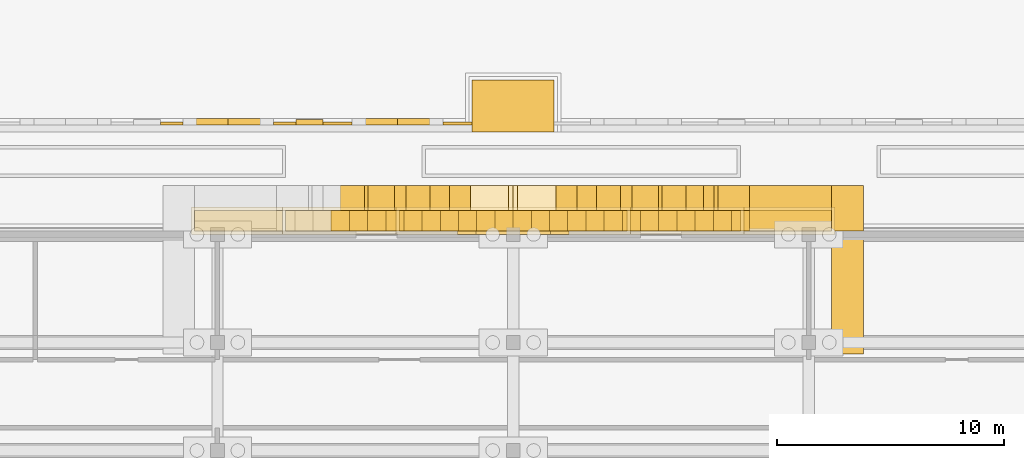
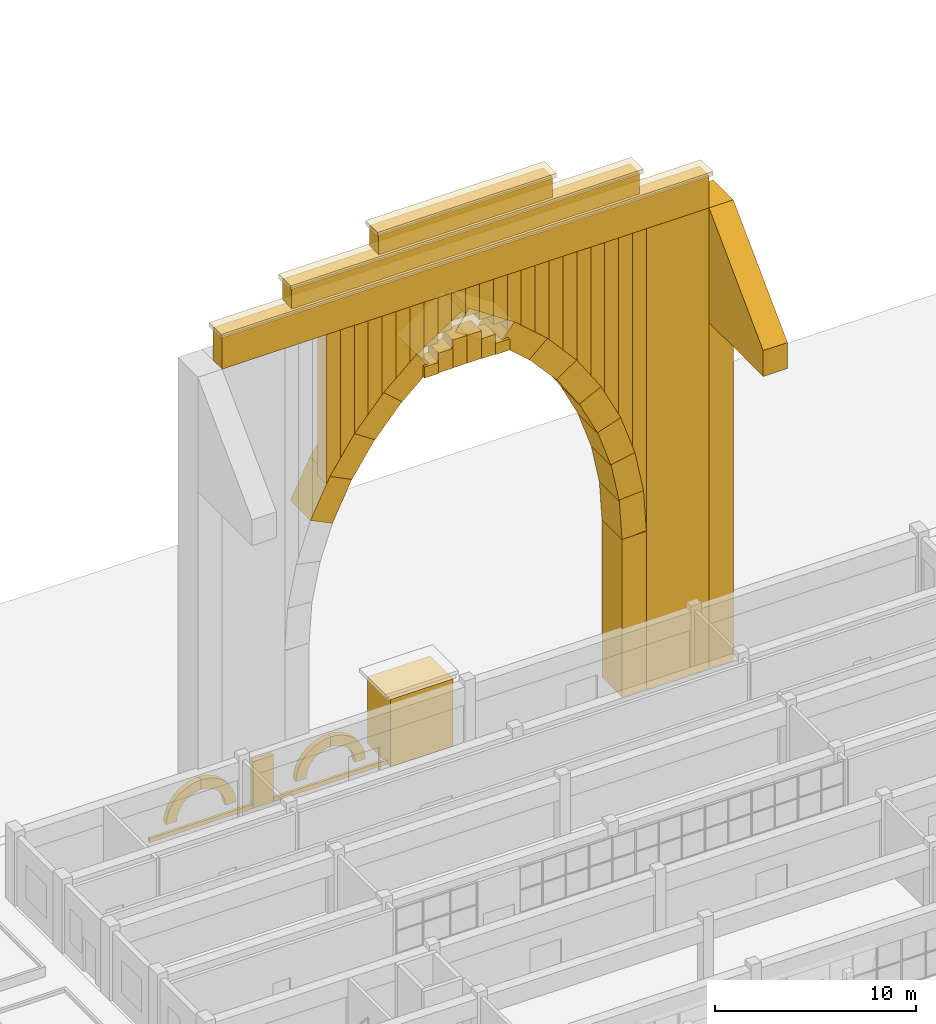
# One storey, part 113 of 161: 60 coverings.
"""IFC4 building model written with IfcOpenShell, lengths in metres."""

from ifc_helpers import new_model, si_unit, direction, frame, frame_2d, origin, origin_2d, place, context, subcontext, project, spatial, polyline, rectangle, outline, extrude, material, layer, layer_set, type_object, element, save


model = new_model("IFC4")

# Units and contexts
model_context = context("Model", 3, precision=1e-05, world=origin(), true_north=direction((0.0, 1.0)))
body_context = subcontext(model_context, "Body", "Model", "MODEL_VIEW")
ifc_project = project(units=[si_unit("LENGTHUNIT", "METRE"), si_unit("AREAUNIT", "SQUARE_METRE"), si_unit("VOLUMEUNIT", "CUBIC_METRE"), si_unit("PLANEANGLEUNIT", "RADIAN"), si_unit("MASSUNIT", "GRAM", prefix="KILO")], contexts=[model_context])

# Site, building, storey
site_placement = place(None, origin())
site = spatial("IfcSite", under=ifc_project, at=site_placement, CompositionType="ELEMENT")
building_placement = place(site_placement, origin())
building = spatial("IfcBuilding", under=site, at=building_placement, Name="Elbe Cascade School", CompositionType="ELEMENT")
storey_placement = place(building_placement, origin())
storey = spatial("IfcBuildingStorey", under=building, at=storey_placement, Name="L00", CompositionType="ELEMENT", Elevation=0.0)

# Coverings
ifc_material_1 = material(Name="Sandstone - red, precast facing", Category="masonry")
covering_type_1 = type_object("IfcCoveringType", Name="Hall pishtaq arch band 1400 x 2000", PredefinedType="CLADDING", material=ifc_material_1)
for number, where, z_axis, x_axis, name in (
    (1, (25.701416015625, 70.64990234375, 16.711181640625), (0.442220637859, 0.0, 0.896906298033), (0.0, 1.0, 0.0), "Hall pishtaq arch band 1400 x 2000 CV85"),
    (2, (26.777587890625, 70.64990234375, 18.908447265625), (0.555585018202, 0.0, 0.83145973297), (0.0, 1.0, 0.0), "Hall pishtaq arch band 1400 x 2000 CV85"),
    (3, (28.13134765625, 70.64990234375, 20.9462890625), (0.659325627554, 0.0, 0.751857511002), (0.0, 1.0, 0.0), "Hall pishtaq arch band 1400 x 2000 CV85"),
    (4, (29.739501953125, 70.64990234375, 22.789794921875), (0.751809978576, 0.0, 0.659379826893), (0.0, 1.0, 0.0), "Hall pishtaq arch band 1400 x 2000 CV85"),
):
    element("IfcCovering", number, at=place(storey_placement, frame(where, z_axis=z_axis, x_axis=x_axis)), inside=storey, type_object=covering_type_1, Name=name, PredefinedType="CLADDING", context=body_context, shape_type="SweptSolid", body=[
        extrude(rectangle(XDim=2.0, YDim=1.39990234375, at=origin_2d()), origin(), (0.0, 0.0, 1.0), 2.546142578125),
    ])
covering_1_placement = place(storey_placement, frame((31.57470703125, 70.64990234375, 24.407958984375), z_axis=(0.831465951312, 0.0, 0.555575712041), x_axis=(0.0, 1.0, 0.0)))
element("IfcCovering", 5, at=covering_1_placement, inside=storey, type_object=covering_type_1, Name="Hall pishtaq arch band 1400 x 2000 CV85", PredefinedType="CLADDING", context=body_context, shape_type="SweptSolid", body=[
    extrude(rectangle(XDim=2.0, YDim=1.39990234375, at=origin_2d()), origin(), (0.0, 0.0, 1.0), 3.152099609375),
])
covering_2_placement = place(storey_placement, frame((43.699951171875, 70.64990234375, 9.60009765625), z_axis=(-0.065434839137, 0.0, 0.997856844356), x_axis=(0.0, -1.0, 0.0)))
element("IfcCovering", 6, at=covering_2_placement, inside=storey, type_object=covering_type_1, Name="Hall pishtaq arch band 1400 x 2000 CV85", PredefinedType="CLADDING", context=body_context, shape_type="SweptSolid", body=[
    extrude(rectangle(XDim=2.0, YDim=1.39990234375, at=origin_2d()), origin(), (0.0, 0.0, 1.0), 2.49609375),
])
covering_3_placement = place(storey_placement, frame((43.5498046875, 70.64990234375, 11.99169921875), z_axis=(-0.195120333973, 0.0, 0.980779310176), x_axis=(0.0, -1.0, 0.0)))
element("IfcCovering", 7, at=covering_3_placement, inside=storey, type_object=covering_type_1, Name="Hall pishtaq arch band 1400 x 2000 CV85", PredefinedType="CLADDING", context=body_context, shape_type="SweptSolid", body=[
    extrude(rectangle(XDim=2.0, YDim=1.39990234375, at=origin_2d()), origin(), (0.0, 0.0, 1.0), 2.546142578125),
])
covering_4_placement = place(storey_placement, frame((43.078857421875, 70.64990234375, 14.392578125), z_axis=(-0.321429937708, 0.0, 0.946933363624), x_axis=(0.0, -1.0, 0.0)))
element("IfcCovering", 8, at=covering_4_placement, inside=storey, type_object=covering_type_1, Name="Hall pishtaq arch band 1400 x 2000 CV85", PredefinedType="CLADDING", context=body_context, shape_type="SweptSolid", body=[
    extrude(rectangle(XDim=2.0, YDim=1.39990234375, at=origin_2d()), origin(), (0.0, 0.0, 1.0), 2.5458984375),
])
for number, where, z_axis, x_axis, name in (
    (9, (42.298583984375, 70.64990234375, 16.711181640625), (-0.442220637859, 0.0, 0.896906298033), (0.0, -1.0, 0.0), "Hall pishtaq arch band 1400 x 2000 CV85"),
    (10, (41.222412109375, 70.64990234375, 18.908447265625), (-0.555585018202, 0.0, 0.83145973297), (0.0, -1.0, 0.0), "Hall pishtaq arch band 1400 x 2000 CV85"),
    (11, (39.86865234375, 70.64990234375, 20.9462890625), (-0.659325627554, 0.0, 0.751857511002), (0.0, -1.0, 0.0), "Hall pishtaq arch band 1400 x 2000 CV85"),
    (12, (38.260498046875, 70.64990234375, 22.789794921875), (-0.751809978576, 0.0, 0.659379826893), (0.0, -1.0, 0.0), "Hall pishtaq arch band 1400 x 2000 CV85"),
):
    element("IfcCovering", number, at=place(storey_placement, frame(where, z_axis=z_axis, x_axis=x_axis)), inside=storey, type_object=covering_type_1, Name=name, PredefinedType="CLADDING", context=body_context, shape_type="SweptSolid", body=[
        extrude(rectangle(XDim=2.0, YDim=1.39990234375, at=origin_2d()), origin(), (0.0, 0.0, 1.0), 2.546142578125),
    ])
covering_5_placement = place(storey_placement, frame((36.42529296875, 70.64990234375, 24.407958984375), z_axis=(-0.831465951312, 0.0, 0.555575712041), x_axis=(0.0, -1.0, 0.0)))
element("IfcCovering", 13, at=covering_5_placement, inside=storey, type_object=covering_type_1, Name="Hall pishtaq arch band 1400 x 2000 CV85", PredefinedType="CLADDING", context=body_context, shape_type="SweptSolid", body=[
    extrude(rectangle(XDim=2.0, YDim=1.39990234375, at=origin_2d()), origin(), (0.0, 0.0, 1.0), 3.152099609375),
])
ifc_material_2 = material(Name="Sandstone - red, precast facing", Category="masonry")
ifc_layer_1 = layer(ifc_material_2, 1.39990234375)
ifc_layer_set_1 = layer_set([ifc_layer_1], Name="Sandstone - red, precast facing")
covering_type_2 = type_object("IfcCoveringType", Name="Hall pishtaq buttress 1400", PredefinedType="CLADDING", material=ifc_layer_set_1)
covering_6_placement = place(storey_placement, frame((48.699951171875, 69.64990234375, 0.0), z_axis=(0.0, 0.0, 1.0), x_axis=(0.0, 1.0, 0.0)))
element("IfcCovering", 14, at=covering_6_placement, inside=storey, type_object=covering_type_2, Name="Hall pishtaq buttress 1400 CV84", PredefinedType="CLADDING", context=body_context, shape_type="SweptSolid", body=[
    extrude(rectangle(XDim=2.0, YDim=1.39990234375, at=frame_2d((1.0, 0.0))), origin(), (0.0, 0.0, 1.0), 28.0),
])
covering_7_placement = place(storey_placement, frame((48.699951171875, 69.64990234375, 21.0283203125), z_axis=(0.0, 0.0, 1.0), x_axis=(0.0, -1.0, 0.0)))
element("IfcCovering", 15, at=covering_7_placement, inside=storey, type_object=covering_type_2, Name="Hall pishtaq buttress 1400 CV84", PredefinedType="CLADDING", context=body_context, shape_type="SweptSolid", body=[
    extrude(outline(polyline([(0.0, 0.0), (5.39990234375, 0.0), (5.39990234375, 1.57177734375), (0.0, 6.9716796875), (0.0, 0.0)])), frame((0.0, 0.699951171875, 0.0), z_axis=(0.0, -1.0, 0.0), x_axis=(1.0, 0.0, 0.0)), (0.0, 0.0, 1.0), 1.39990234375),
])
ifc_material_3 = material(Name="Sandstone - red, precast facing", Category="masonry")
ifc_layer_2 = layer(ifc_material_3, 0.89990234375)
ifc_layer_set_2 = layer_set([ifc_layer_2], Name="Sandstone - red, precast facing")
covering_type_3 = type_object("IfcCoveringType", Name="Hall pishtaq cladding 900", PredefinedType="CLADDING", material=ifc_layer_set_2)
covering_8_placement = place(storey_placement, frame((20.0, 70.10009765625, 28.0), z_axis=(0.0, 0.0, 1.0), x_axis=(1.0, 0.0, 0.0)))
element("IfcCovering", 16, at=covering_8_placement, inside=storey, type_object=covering_type_3, Name="Hall pishtaq cladding 900 CV80", PredefinedType="CLADDING", context=body_context, shape_type="SweptSolid", body=[
    extrude(rectangle(XDim=28.0, YDim=0.89990234375, at=frame_2d((14.0, 0.0))), origin(), (0.0, 0.0, 1.0), 2.0),
])
covering_9_placement = place(storey_placement, frame((24.0, 70.10009765625, 30.25), z_axis=(0.0, 0.0, 1.0), x_axis=(1.0, 0.0, 0.0)))
element("IfcCovering", 17, at=covering_9_placement, inside=storey, type_object=covering_type_3, Name="Hall pishtaq cladding 900 CV80", PredefinedType="CLADDING", context=body_context, shape_type="SweptSolid", body=[
    extrude(rectangle(XDim=20.0, YDim=0.89990234375, at=frame_2d((10.0, 0.0))), origin(), (0.0, 0.0, 1.0), 1.300048828125),
])
covering_10_placement = place(storey_placement, frame((29.0, 70.10009765625, 31.800048828125), z_axis=(0.0, 0.0, 1.0), x_axis=(1.0, 0.0, 0.0)))
element("IfcCovering", 18, at=covering_10_placement, inside=storey, type_object=covering_type_3, Name="Hall pishtaq cladding 900 CV80", PredefinedType="CLADDING", context=body_context, shape_type="SweptSolid", body=[
    extrude(rectangle(XDim=10.0, YDim=0.89990234375, at=frame_2d((5.0, 0.0))), origin(), (0.0, 0.0, 1.0), 1.25),
])
covering_11_placement = place(storey_placement, frame((34.0, 70.10009765625, 26.292724609375), z_axis=(0.0, 0.0, 1.0), x_axis=(1.0, 0.0, 0.0)))
element("IfcCovering", 19, at=covering_11_placement, inside=storey, type_object=covering_type_3, Name="Hall pishtaq cladding 900 CV80", PredefinedType="CLADDING", context=body_context, shape_type="SweptSolid", body=[
    extrude(rectangle(XDim=0.800048828125, YDim=0.89990234375, at=frame_2d((0.39990234375, 0.0))), origin(), (0.0, 0.0, 1.0), 1.707275390625),
])
covering_12_placement = place(storey_placement, frame((34.800048828125, 70.10009765625, 25.798095703125), z_axis=(0.0, 0.0, 1.0), x_axis=(1.0, 0.0, 0.0)))
element("IfcCovering", 20, at=covering_12_placement, inside=storey, type_object=covering_type_3, Name="Hall pishtaq cladding 900 CV80", PredefinedType="CLADDING", context=body_context, shape_type="SweptSolid", body=[
    extrude(rectangle(XDim=0.800048828125, YDim=0.89990234375, at=frame_2d((0.39990234375, 0.0))), origin(), (0.0, 0.0, 1.0), 2.201904296875),
])
covering_13_placement = place(storey_placement, frame((35.60009765625, 70.10009765625, 25.2470703125), z_axis=(0.0, 0.0, 1.0), x_axis=(1.0, 0.0, 0.0)))
element("IfcCovering", 21, at=covering_13_placement, inside=storey, type_object=covering_type_3, Name="Hall pishtaq cladding 900 CV80", PredefinedType="CLADDING", context=body_context, shape_type="SweptSolid", body=[
    extrude(rectangle(XDim=0.7998046875, YDim=0.89990234375, at=frame_2d((0.39990234375, 0.0))), origin(), (0.0, 0.0, 1.0), 2.7529296875),
])
covering_14_placement = place(storey_placement, frame((26.0, 70.10009765625, 18.896728515625), z_axis=(0.0, 0.0, 1.0), x_axis=(1.0, 0.0, 0.0)))
element("IfcCovering", 22, at=covering_14_placement, inside=storey, type_object=covering_type_3, Name="Hall pishtaq cladding 900 CV80", PredefinedType="CLADDING", context=body_context, shape_type="SweptSolid", body=[
    extrude(rectangle(XDim=0.800048828125, YDim=0.89990234375, at=frame_2d((0.39990234375, 0.0))), origin(), (0.0, 0.0, 1.0), 9.103271484375),
])
covering_15_placement = place(storey_placement, frame((36.39990234375, 70.10009765625, 24.6337890625), z_axis=(0.0, 0.0, 1.0), x_axis=(1.0, 0.0, 0.0)))
element("IfcCovering", 23, at=covering_15_placement, inside=storey, type_object=covering_type_3, Name="Hall pishtaq cladding 900 CV80", PredefinedType="CLADDING", context=body_context, shape_type="SweptSolid", body=[
    extrude(rectangle(XDim=0.800048828125, YDim=0.89990234375, at=frame_2d((0.39990234375, 0.0))), origin(), (0.0, 0.0, 1.0), 3.3662109375),
])
covering_16_placement = place(storey_placement, frame((26.800048828125, 70.10009765625, 20.223388671875), z_axis=(0.0, 0.0, 1.0), x_axis=(1.0, 0.0, 0.0)))
element("IfcCovering", 24, at=covering_16_placement, inside=storey, type_object=covering_type_3, Name="Hall pishtaq cladding 900 CV80", PredefinedType="CLADDING", context=body_context, shape_type="SweptSolid", body=[
    extrude(rectangle(XDim=0.800048828125, YDim=0.89990234375, at=frame_2d((0.39990234375, 0.0))), origin(), (0.0, 0.0, 1.0), 7.776611328125),
])
covering_17_placement = place(storey_placement, frame((37.199951171875, 70.10009765625, 23.949951171875), z_axis=(0.0, 0.0, 1.0), x_axis=(1.0, 0.0, 0.0)))
element("IfcCovering", 25, at=covering_17_placement, inside=storey, type_object=covering_type_3, Name="Hall pishtaq cladding 900 CV80", PredefinedType="CLADDING", context=body_context, shape_type="SweptSolid", body=[
    extrude(rectangle(XDim=0.800048828125, YDim=0.89990234375, at=frame_2d((0.39990234375, 0.0))), origin(), (0.0, 0.0, 1.0), 4.050048828125),
])
covering_18_placement = place(storey_placement, frame((27.60009765625, 70.10009765625, 21.348388671875), z_axis=(0.0, 0.0, 1.0), x_axis=(1.0, 0.0, 0.0)))
element("IfcCovering", 26, at=covering_18_placement, inside=storey, type_object=covering_type_3, Name="Hall pishtaq cladding 900 CV80", PredefinedType="CLADDING", context=body_context, shape_type="SweptSolid", body=[
    extrude(rectangle(XDim=0.7998046875, YDim=0.89990234375, at=frame_2d((0.39990234375, 0.0))), origin(), (0.0, 0.0, 1.0), 6.651611328125),
])
covering_19_placement = place(storey_placement, frame((38.0, 70.10009765625, 23.185302734375), z_axis=(0.0, 0.0, 1.0), x_axis=(1.0, 0.0, 0.0)))
element("IfcCovering", 27, at=covering_19_placement, inside=storey, type_object=covering_type_3, Name="Hall pishtaq cladding 900 CV80", PredefinedType="CLADDING", context=body_context, shape_type="SweptSolid", body=[
    extrude(rectangle(XDim=0.800048828125, YDim=0.89990234375, at=frame_2d((0.39990234375, 0.0))), origin(), (0.0, 0.0, 1.0), 4.814697265625),
])
for number, where, z_axis, x_axis, name in (
    (28, (28.39990234375, 70.10009765625, 22.324951171875), (0.0, 0.0, 1.0), (1.0, 0.0, 0.0), "Hall pishtaq cladding 900 CV80"),
    (29, (38.800048828125, 70.10009765625, 22.324951171875), (0.0, 0.0, 1.0), (1.0, 0.0, 0.0), "Hall pishtaq cladding 900 CV80"),
):
    element("IfcCovering", number, at=place(storey_placement, frame(where, z_axis=z_axis, x_axis=x_axis)), inside=storey, type_object=covering_type_3, Name=name, PredefinedType="CLADDING", context=body_context, shape_type="SweptSolid", body=[
        extrude(rectangle(XDim=0.800048828125, YDim=0.89990234375, at=frame_2d((0.39990234375, 0.0))), origin(), (0.0, 0.0, 1.0), 5.675048828125),
    ])
covering_20_placement = place(storey_placement, frame((29.199951171875, 70.10009765625, 23.185302734375), z_axis=(0.0, 0.0, 1.0), x_axis=(1.0, 0.0, 0.0)))
element("IfcCovering", 30, at=covering_20_placement, inside=storey, type_object=covering_type_3, Name="Hall pishtaq cladding 900 CV80", PredefinedType="CLADDING", context=body_context, shape_type="SweptSolid", body=[
    extrude(rectangle(XDim=0.800048828125, YDim=0.89990234375, at=frame_2d((0.39990234375, 0.0))), origin(), (0.0, 0.0, 1.0), 4.814697265625),
])
covering_21_placement = place(storey_placement, frame((39.60009765625, 70.10009765625, 21.348388671875), z_axis=(0.0, 0.0, 1.0), x_axis=(1.0, 0.0, 0.0)))
element("IfcCovering", 31, at=covering_21_placement, inside=storey, type_object=covering_type_3, Name="Hall pishtaq cladding 900 CV80", PredefinedType="CLADDING", context=body_context, shape_type="SweptSolid", body=[
    extrude(rectangle(XDim=0.7998046875, YDim=0.89990234375, at=frame_2d((0.39990234375, 0.0))), origin(), (0.0, 0.0, 1.0), 6.651611328125),
])
covering_22_placement = place(storey_placement, frame((30.0, 70.10009765625, 23.949951171875), z_axis=(0.0, 0.0, 1.0), x_axis=(1.0, 0.0, 0.0)))
element("IfcCovering", 32, at=covering_22_placement, inside=storey, type_object=covering_type_3, Name="Hall pishtaq cladding 900 CV80", PredefinedType="CLADDING", context=body_context, shape_type="SweptSolid", body=[
    extrude(rectangle(XDim=0.800048828125, YDim=0.89990234375, at=frame_2d((0.39990234375, 0.0))), origin(), (0.0, 0.0, 1.0), 4.050048828125),
])
covering_23_placement = place(storey_placement, frame((40.39990234375, 70.10009765625, 20.223388671875), z_axis=(0.0, 0.0, 1.0), x_axis=(1.0, 0.0, 0.0)))
element("IfcCovering", 33, at=covering_23_placement, inside=storey, type_object=covering_type_3, Name="Hall pishtaq cladding 900 CV80", PredefinedType="CLADDING", context=body_context, shape_type="SweptSolid", body=[
    extrude(rectangle(XDim=0.800048828125, YDim=0.89990234375, at=frame_2d((0.39990234375, 0.0))), origin(), (0.0, 0.0, 1.0), 7.776611328125),
])
covering_24_placement = place(storey_placement, frame((30.800048828125, 70.10009765625, 24.6337890625), z_axis=(0.0, 0.0, 1.0), x_axis=(1.0, 0.0, 0.0)))
element("IfcCovering", 34, at=covering_24_placement, inside=storey, type_object=covering_type_3, Name="Hall pishtaq cladding 900 CV80", PredefinedType="CLADDING", context=body_context, shape_type="SweptSolid", body=[
    extrude(rectangle(XDim=0.800048828125, YDim=0.89990234375, at=frame_2d((0.39990234375, 0.0))), origin(), (0.0, 0.0, 1.0), 3.3662109375),
])
covering_25_placement = place(storey_placement, frame((41.199951171875, 70.10009765625, 18.896728515625), z_axis=(0.0, 0.0, 1.0), x_axis=(1.0, 0.0, 0.0)))
element("IfcCovering", 35, at=covering_25_placement, inside=storey, type_object=covering_type_3, Name="Hall pishtaq cladding 900 CV80", PredefinedType="CLADDING", context=body_context, shape_type="SweptSolid", body=[
    extrude(rectangle(XDim=0.800048828125, YDim=0.89990234375, at=frame_2d((0.39990234375, 0.0))), origin(), (0.0, 0.0, 1.0), 9.103271484375),
])
covering_26_placement = place(storey_placement, frame((31.60009765625, 70.10009765625, 25.2470703125), z_axis=(0.0, 0.0, 1.0), x_axis=(1.0, 0.0, 0.0)))
element("IfcCovering", 36, at=covering_26_placement, inside=storey, type_object=covering_type_3, Name="Hall pishtaq cladding 900 CV80", PredefinedType="CLADDING", context=body_context, shape_type="SweptSolid", body=[
    extrude(rectangle(XDim=0.7998046875, YDim=0.89990234375, at=frame_2d((0.39990234375, 0.0))), origin(), (0.0, 0.0, 1.0), 2.7529296875),
])
covering_27_placement = place(storey_placement, frame((42.0, 70.10009765625, 17.264892578125), z_axis=(0.0, 0.0, 1.0), x_axis=(1.0, 0.0, 0.0)))
element("IfcCovering", 37, at=covering_27_placement, inside=storey, type_object=covering_type_3, Name="Hall pishtaq cladding 900 CV80", PredefinedType="CLADDING", context=body_context, shape_type="SweptSolid", body=[
    extrude(rectangle(XDim=0.800048828125, YDim=0.89990234375, at=frame_2d((0.39990234375, 0.0))), origin(), (0.0, 0.0, 1.0), 10.735107421875),
])
covering_28_placement = place(storey_placement, frame((32.39990234375, 70.10009765625, 25.798095703125), z_axis=(0.0, 0.0, 1.0), x_axis=(1.0, 0.0, 0.0)))
element("IfcCovering", 38, at=covering_28_placement, inside=storey, type_object=covering_type_3, Name="Hall pishtaq cladding 900 CV80", PredefinedType="CLADDING", context=body_context, shape_type="SweptSolid", body=[
    extrude(rectangle(XDim=0.800048828125, YDim=0.89990234375, at=frame_2d((0.39990234375, 0.0))), origin(), (0.0, 0.0, 1.0), 2.201904296875),
])
covering_29_placement = place(storey_placement, frame((42.800048828125, 70.10009765625, 15.063720703125), z_axis=(0.0, 0.0, 1.0), x_axis=(1.0, 0.0, 0.0)))
element("IfcCovering", 39, at=covering_29_placement, inside=storey, type_object=covering_type_3, Name="Hall pishtaq cladding 900 CV80", PredefinedType="CLADDING", context=body_context, shape_type="SweptSolid", body=[
    extrude(rectangle(XDim=0.800048828125, YDim=0.89990234375, at=frame_2d((0.39990234375, 0.0))), origin(), (0.0, 0.0, 1.0), 12.936279296875),
])
covering_30_placement = place(storey_placement, frame((33.199951171875, 70.10009765625, 26.292724609375), z_axis=(0.0, 0.0, 1.0), x_axis=(1.0, 0.0, 0.0)))
element("IfcCovering", 40, at=covering_30_placement, inside=storey, type_object=covering_type_3, Name="Hall pishtaq cladding 900 CV80", PredefinedType="CLADDING", context=body_context, shape_type="SweptSolid", body=[
    extrude(rectangle(XDim=0.800048828125, YDim=0.89990234375, at=frame_2d((0.39990234375, 0.0))), origin(), (0.0, 0.0, 1.0), 1.707275390625),
])
covering_31_placement = place(storey_placement, frame((43.60009765625, 70.10009765625, 9.550048828125), z_axis=(0.0, 0.0, 1.0), x_axis=(1.0, 0.0, 0.0)))
element("IfcCovering", 41, at=covering_31_placement, inside=storey, type_object=covering_type_3, Name="Hall pishtaq cladding 900 CV80", PredefinedType="CLADDING", context=body_context, shape_type="SweptSolid", body=[
    extrude(rectangle(XDim=0.7998046875, YDim=0.89990234375, at=frame_2d((0.39990234375, 0.0))), origin(), (0.0, 0.0, 1.0), 18.449951171875),
])
ifc_material_4 = material(Name="Sandstone - red, precast facing", Category="masonry")
ifc_layer_3 = layer(ifc_material_4, 1.199951171875)
ifc_layer_set_3 = layer_set([ifc_layer_3], Name="Sandstone - red, precast facing")
covering_type_4 = type_object("IfcCoveringType", Name="Hall pishtaq coping 1200", PredefinedType="CLADDING", material=ifc_layer_set_3)
covering_32_placement = place(storey_placement, frame((19.85009765625, 70.10009765625, 30.0), z_axis=(0.0, 0.0, 1.0), x_axis=(1.0, 0.0, 0.0)))
element("IfcCovering", 42, at=covering_32_placement, inside=storey, type_object=covering_type_4, Name="Hall pishtaq coping 1200 CV81", PredefinedType="CLADDING", context=body_context, shape_type="SweptSolid", body=[
    extrude(rectangle(XDim=28.2998046875, YDim=1.199951171875, at=frame_2d((14.14990234375, 0.0))), origin(), (0.0, 0.0, 1.0), 0.25),
])
covering_33_placement = place(storey_placement, frame((23.85009765625, 70.10009765625, 31.550048828125), z_axis=(0.0, 0.0, 1.0), x_axis=(1.0, 0.0, 0.0)))
element("IfcCovering", 43, at=covering_33_placement, inside=storey, type_object=covering_type_4, Name="Hall pishtaq coping 1200 CV81", PredefinedType="CLADDING", context=body_context, shape_type="SweptSolid", body=[
    extrude(rectangle(XDim=20.2998046875, YDim=1.199951171875, at=frame_2d((10.14990234375, 0.0))), origin(), (0.0, 0.0, 1.0), 0.25),
])
covering_34_placement = place(storey_placement, frame((28.85009765625, 70.10009765625, 33.050048828125), z_axis=(0.0, 0.0, 1.0), x_axis=(1.0, 0.0, 0.0)))
element("IfcCovering", 44, at=covering_34_placement, inside=storey, type_object=covering_type_4, Name="Hall pishtaq coping 1200 CV81", PredefinedType="CLADDING", context=body_context, shape_type="SweptSolid", body=[
    extrude(rectangle(XDim=10.2998046875, YDim=1.199951171875, at=frame_2d((5.14990234375, 0.0))), origin(), (0.0, 0.0, 1.0), 0.25),
])
ifc_material_5 = material(Name="Sandstone - red, precast facing", Category="masonry")
ifc_layer_4 = layer(ifc_material_5, 2.0)
ifc_layer_set_4 = layer_set([ifc_layer_4], Name="Sandstone - red, precast facing")
covering_type_5 = type_object("IfcCoveringType", Name="Hall pishtaq pier 2000", PredefinedType="CLADDING", material=ifc_layer_set_4)
covering_35_placement = place(storey_placement, frame((44.39990234375, 70.64990234375, 0.0), z_axis=(0.0, 0.0, 1.0), x_axis=(1.0, 0.0, 0.0)))
element("IfcCovering", 45, at=covering_35_placement, inside=storey, type_object=covering_type_5, Name="Hall pishtaq pier 2000 CV83", PredefinedType="CLADDING", context=body_context, shape_type="SweptSolid", body=[
    extrude(rectangle(XDim=3.60009765625, YDim=2.0, at=frame_2d((1.800048828125, 0.0))), origin(), (0.0, 0.0, 1.0), 28.0),
])
covering_36_placement = place(storey_placement, frame((43.0, 70.64990234375, 0.0), z_axis=(0.0, 0.0, 1.0), x_axis=(1.0, 0.0, 0.0)))
element("IfcCovering", 46, at=covering_36_placement, inside=storey, type_object=covering_type_5, Name="Hall pishtaq pier 2000 CV83", PredefinedType="CLADDING", context=body_context, shape_type="SweptSolid", body=[
    extrude(rectangle(XDim=1.39990234375, YDim=2.0, at=frame_2d((0.699951171875, 0.0))), origin(), (0.0, 0.0, 1.0), 9.60009765625),
])
ifc_material_6 = material(Name="Sandstone - red, precast facing", Category="masonry")
ifc_layer_5 = layer(ifc_material_6, 1.050048828125)
ifc_layer_set_5 = layer_set([ifc_layer_5], Name="Sandstone - red, precast facing")
covering_type_6 = type_object("IfcCoveringType", Name="Hall pishtaq tympanum 1050", PredefinedType="CLADDING", material=ifc_layer_set_5)
covering_37_placement = place(storey_placement, frame((34.0, 70.02490234375, 23.552001953125), z_axis=(0.0, 0.0, 1.0), x_axis=(1.0, 0.0, 0.0)))
element("IfcCovering", 47, at=covering_37_placement, inside=storey, type_object=covering_type_6, Name="Hall pishtaq tympanum 1050 CV82", PredefinedType="CLADDING", context=body_context, shape_type="SweptSolid", body=[
    extrude(rectangle(XDim=0.818115234375, YDim=1.050048828125, at=frame_2d((0.4091796875, 0.0))), origin(), (0.0, 0.0, 1.0), 1.6865234375),
])
covering_38_placement = place(storey_placement, frame((34.818115234375, 70.02490234375, 23.53564453125), z_axis=(0.0, 0.0, 1.0), x_axis=(1.0, 0.0, 0.0)))
element("IfcCovering", 48, at=covering_38_placement, inside=storey, type_object=covering_type_6, Name="Hall pishtaq tympanum 1050 CV82", PredefinedType="CLADDING", context=body_context, shape_type="SweptSolid", body=[
    extrude(rectangle(XDim=0.818359375, YDim=1.050048828125, at=frame_2d((0.4091796875, 0.0))), origin(), (0.0, 0.0, 1.0), 1.200927734375),
])
for number, where, z_axis, x_axis, name in (
    (49, (35.636474609375, 70.02490234375, 23.49853515625), (0.0, 0.0, 1.0), (1.0, 0.0, 0.0), "Hall pishtaq tympanum 1050 CV82"),
    (50, (31.54541015625, 70.02490234375, 23.49853515625), (0.0, 0.0, 1.0), (1.0, 0.0, 0.0), "Hall pishtaq tympanum 1050 CV82"),
):
    element("IfcCovering", number, at=place(storey_placement, frame(where, z_axis=z_axis, x_axis=x_axis)), inside=storey, type_object=covering_type_6, Name=name, PredefinedType="CLADDING", context=body_context, shape_type="SweptSolid", body=[
        extrude(rectangle(XDim=0.818115234375, YDim=1.050048828125, at=frame_2d((0.4091796875, 0.0))), origin(), (0.0, 0.0, 1.0), 0.6728515625),
    ])
covering_39_placement = place(storey_placement, frame((32.363525390625, 70.02490234375, 23.53564453125), z_axis=(0.0, 0.0, 1.0), x_axis=(1.0, 0.0, 0.0)))
element("IfcCovering", 51, at=covering_39_placement, inside=storey, type_object=covering_type_6, Name="Hall pishtaq tympanum 1050 CV82", PredefinedType="CLADDING", context=body_context, shape_type="SweptSolid", body=[
    extrude(rectangle(XDim=0.818359375, YDim=1.050048828125, at=frame_2d((0.4091796875, 0.0))), origin(), (0.0, 0.0, 1.0), 1.200927734375),
])
covering_40_placement = place(storey_placement, frame((33.181884765625, 70.02490234375, 23.552001953125), z_axis=(0.0, 0.0, 1.0), x_axis=(1.0, 0.0, 0.0)))
element("IfcCovering", 52, at=covering_40_placement, inside=storey, type_object=covering_type_6, Name="Hall pishtaq tympanum 1050 CV82", PredefinedType="CLADDING", context=body_context, shape_type="SweptSolid", body=[
    extrude(rectangle(XDim=0.818115234375, YDim=1.050048828125, at=frame_2d((0.4091796875, 0.0))), origin(), (0.0, 0.0, 1.0), 1.6865234375),
])
ifc_material_7 = material(Name="Sandstone - red", Category="masonry")
ifc_layer_6 = layer(ifc_material_7, 0.14990234375)
ifc_layer_set_6 = layer_set([ifc_layer_6], Name="Sandstone - red")
covering_type_7 = type_object("IfcCoveringType", Name="Plinth base course 150x250", PredefinedType="CLADDING", material=ifc_layer_set_6)
covering_41_placement = place(storey_placement, frame((0.0, 0.0, -3.10009765625)))
element("IfcCovering", 53, at=covering_41_placement, inside=storey, type_object=covering_type_7, Name="Plinth base course north 0.1.3", PredefinedType="CLADDING", context=body_context, shape_type="SweptSolid", body=[
    extrude(outline(polyline([(18.5, 74.300048828125), (24.449951171875, 74.300048828125), (24.449951171875, 74.449951171875), (18.5, 74.449951171875), (18.5, 74.300048828125)])), origin(), (0.0, 0.0, 1.0), 0.25),
])
covering_42_placement = place(storey_placement, frame((0.0, 0.0, -3.10009765625)))
element("IfcCovering", 54, at=covering_42_placement, inside=storey, type_object=covering_type_7, Name="Plinth base course north 0.1.4", PredefinedType="CLADDING", context=body_context, shape_type="SweptSolid", body=[
    extrude(outline(polyline([(25.64990234375, 74.300048828125), (32.199951171875, 74.300048828125), (32.199951171875, 74.449951171875), (25.64990234375, 74.449951171875), (25.64990234375, 74.300048828125)])), origin(), (0.0, 0.0, 1.0), 0.25),
])
ifc_material_8 = material(Name="Sandstone - red", Category="masonry")
ifc_layer_7 = layer(ifc_material_8, 2.300048828125)
ifc_layer_set_7 = layer_set([ifc_layer_7], Name="Sandstone - red")
covering_type_8 = type_object("IfcCoveringType", Name="Plinth bastion 3600x2300", PredefinedType="CLADDING", material=ifc_layer_set_7)
covering_43_placement = place(storey_placement, frame((0.0, 0.0, -3.10009765625)))
element("IfcCovering", 55, at=covering_43_placement, inside=storey, type_object=covering_type_8, Name="Plinth bastion N1 1", PredefinedType="CLADDING", context=body_context, shape_type="SweptSolid", body=[
    extrude(outline(polyline([(32.199951171875, 74.0), (35.800048828125, 74.0), (35.800048828125, 76.300048828125), (32.199951171875, 76.300048828125), (32.199951171875, 74.0)])), origin(), (0.0, 0.0, 1.0), 4.10009765625),
])
ifc_material_9 = material(Name="Sandstone - red", Category="masonry")
ifc_layer_8 = layer(ifc_material_9, 0.300048828125)
ifc_layer_set_8 = layer_set([ifc_layer_8], Name="Sandstone - red")
covering_type_9 = type_object("IfcCoveringType", Name="Plinth niche arch band 600x300", PredefinedType="CLADDING", material=ifc_layer_set_8)
covering_44_placement = place(storey_placement, frame((23.47509765625, 74.60009765625, -2.35009765625), z_axis=(0.0, 1.0, 0.0), x_axis=(-1.0, 0.0, 0.0)))
element("IfcCovering", 56, at=covering_44_placement, inside=storey, type_object=covering_type_9, Name="Plinth niche arch band north 0.1.3a", PredefinedType="CLADDING", context=body_context, shape_type="SweptSolid", body=[
    extrude(outline(polyline([(0.0, 0.0), (0.60009765625, 0.0), (0.6171875, 0.221923828125), (0.66796875, 0.438720703125), (0.75146484375, 0.64501953125), (0.865234375, 0.83642578125), (1.007080078125, 1.0078125), (1.173583984375, 1.15576171875), (1.36083984375, 1.2763671875), (1.564208984375, 1.366943359375), (1.77880859375, 1.42529296875), (2.0, 1.4501953125), (2.0, 2.05029296875), (1.68505859375, 2.01806640625), (1.378662109375, 1.9375), (1.08837890625, 1.81103515625), (0.82080078125, 1.64111328125), (0.5830078125, 1.43212890625), (0.3798828125, 1.189208984375), (0.216796875, 0.91748046875), (0.097412109375, 0.624267578125), (0.024658203125, 0.31591796875), (0.0, 0.0)])), origin(), (0.0, 0.0, -1.0), 0.300048828125),
])
covering_45_placement = place(storey_placement, frame((19.49951171875, 74.60009765625, -2.0341796875), z_axis=(0.0, 1.0, 0.0), x_axis=(0.229640615433, 0.0, 0.973275494268)))
element("IfcCovering", 57, at=covering_45_placement, inside=storey, type_object=covering_type_9, Name="Plinth niche arch band north 0.1.3b", PredefinedType="CLADDING", context=body_context, shape_type="SweptSolid", body=[
    extrude(outline(polyline([(0.0, 0.0), (0.31681637027835047, 0.0), (0.6296088823787412, 0.04886067811575373), (0.9315267427864806, 0.14518832098545423), (1.2146004998268738, 0.2871006253983999), (1.4726628589921735, 0.4707850101886869), (1.699434396567878, 0.6919536620154754), (1.8891803432917578, 0.9454377254653902), (2.037954729394572, 1.2251445961231031), (2.1416994559003246, 1.5245064373983495), (1.5576391129042635, 1.662313232499558), (1.4826077413227772, 1.4527516467981305), (1.3764806454459984, 1.2570489300335477), (1.2416232623821883, 1.0799146970257483), (1.081295428986102, 0.9255966880936953), (0.8990640204772993, 0.7975176660871937), (0.6996279279093016, 0.6985824547516934), (0.4872108101606949, 0.6318080070394001), (0.26725112189532263, 0.5979178949791348), (0.04458659872137888, 0.5982791165847868), (-0.17533094702333402, 0.6326087149319284), (-0.3130816775211652, 0.04878598802333507), (0.0, 0.0)])), origin(), (0.0, 0.0, -1.0), 0.300048828125),
])
covering_46_placement = place(storey_placement, frame((30.925048828125, 74.60009765625, -2.35009765625), z_axis=(0.0, 1.0, 0.0), x_axis=(-1.0, 0.0, 0.0)))
element("IfcCovering", 58, at=covering_46_placement, inside=storey, type_object=covering_type_9, Name="Plinth niche arch band north 0.1.4a", PredefinedType="CLADDING", context=body_context, shape_type="SweptSolid", body=[
    extrude(outline(polyline([(0.0, 0.0), (0.60009765625, 0.0), (0.6171875, 0.221923828125), (0.66796875, 0.438720703125), (0.75146484375, 0.64501953125), (0.865234375, 0.83642578125), (1.007080078125, 1.0078125), (1.173583984375, 1.15576171875), (1.36083984375, 1.2763671875), (1.56396484375, 1.366943359375), (1.77880859375, 1.42529296875), (2.0, 1.4501953125), (2.0, 2.05029296875), (1.68505859375, 2.01806640625), (1.378662109375, 1.9375), (1.088134765625, 1.81103515625), (0.82080078125, 1.64111328125), (0.582763671875, 1.43212890625), (0.3798828125, 1.189208984375), (0.216796875, 0.91748046875), (0.097412109375, 0.624267578125), (0.024658203125, 0.31591796875), (0.0, 0.0)])), origin(), (0.0, 0.0, -1.0), 0.300048828125),
])
covering_47_placement = place(storey_placement, frame((26.949462890625, 74.60009765625, -2.0341796875), z_axis=(0.0, 1.0, 0.0), x_axis=(0.229640615433, 0.0, 0.973275494268)))
element("IfcCovering", 59, at=covering_47_placement, inside=storey, type_object=covering_type_9, Name="Plinth niche arch band north 0.1.4b", PredefinedType="CLADDING", context=body_context, shape_type="SweptSolid", body=[
    extrude(outline(polyline([(0.0, 0.0), (0.31681637027835047, 0.0), (0.6296088823787412, 0.04886067811575373), (0.9315267427864806, 0.14518832098545423), (1.2146004998268738, 0.2871006253983999), (1.4726628589921735, 0.4707850101886869), (1.699434396567878, 0.6919536620154754), (1.8891803432917578, 0.9454377254653902), (2.037954729394572, 1.2251445961231031), (2.1416994559003246, 1.5245064373983495), (1.5576391129042635, 1.662313232499558), (1.4826077413227772, 1.4527516467981305), (1.3764806454459984, 1.2570489300335477), (1.2416232623821883, 1.0799146970257483), (1.081295428986102, 0.9255966880936953), (0.8990640204772993, 0.7975176660871937), (0.6996839925126788, 0.6988200708391613), (0.4872108101606949, 0.6318080070394001), (0.2673071864986999, 0.5981555110666027), (0.04458659872137888, 0.5982791165847868), (-0.17533094702333402, 0.6326087149319284), (-0.3130816775211652, 0.04878598802333507), (0.0, 0.0)])), origin(), (0.0, 0.0, -1.0), 0.300048828125),
])
ifc_material_10 = material(Name="Sandstone - red", Category="masonry")
ifc_layer_9 = layer(ifc_material_10, 0.25)
ifc_layer_set_9 = layer_set([ifc_layer_9], Name="Sandstone - red")
covering_type_10 = type_object("IfcCoveringType", Name="Plinth pilaster 1200x250", PredefinedType="CLADDING", material=ifc_layer_set_9)
covering_48_placement = place(storey_placement, frame((0.0, 0.0, -3.10009765625)))
element("IfcCovering", 60, at=covering_48_placement, inside=storey, type_object=covering_type_10, Name="Plinth pilaster north 0.1.3", PredefinedType="CLADDING", context=body_context, shape_type="SweptSolid", body=[
    extrude(outline(polyline([(24.449951171875, 74.300048828125), (25.64990234375, 74.300048828125), (25.64990234375, 74.550048828125), (24.449951171875, 74.550048828125), (24.449951171875, 74.300048828125)])), origin(), (0.0, 0.0, 1.0), 2.85009765625),
])

save(model, "model.ifc")
